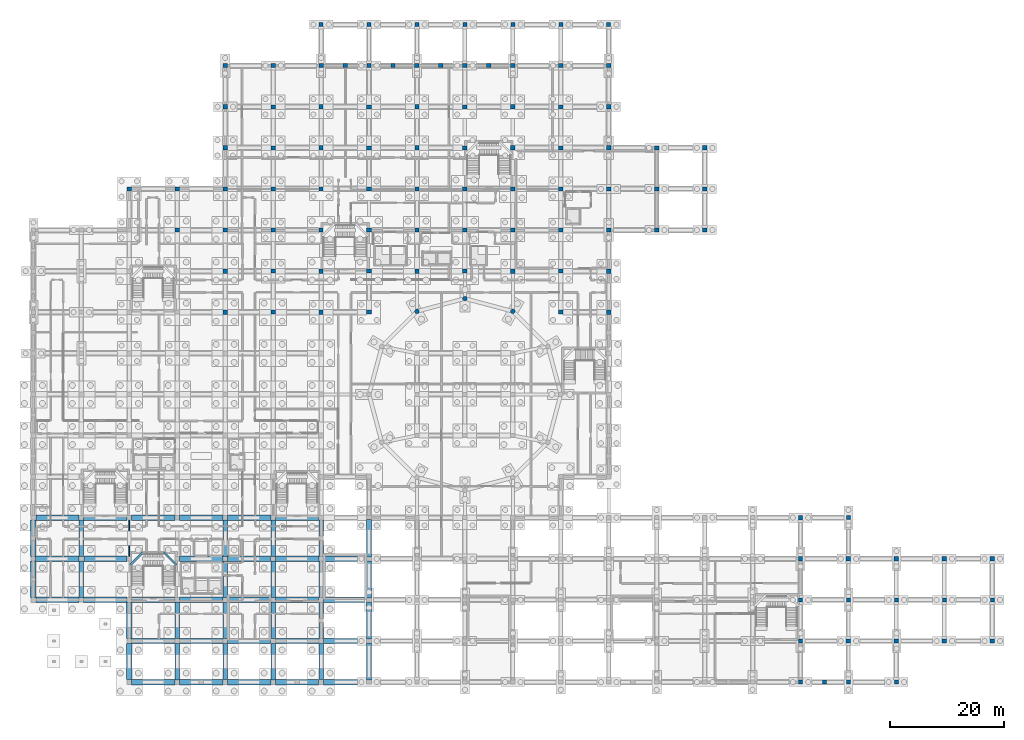
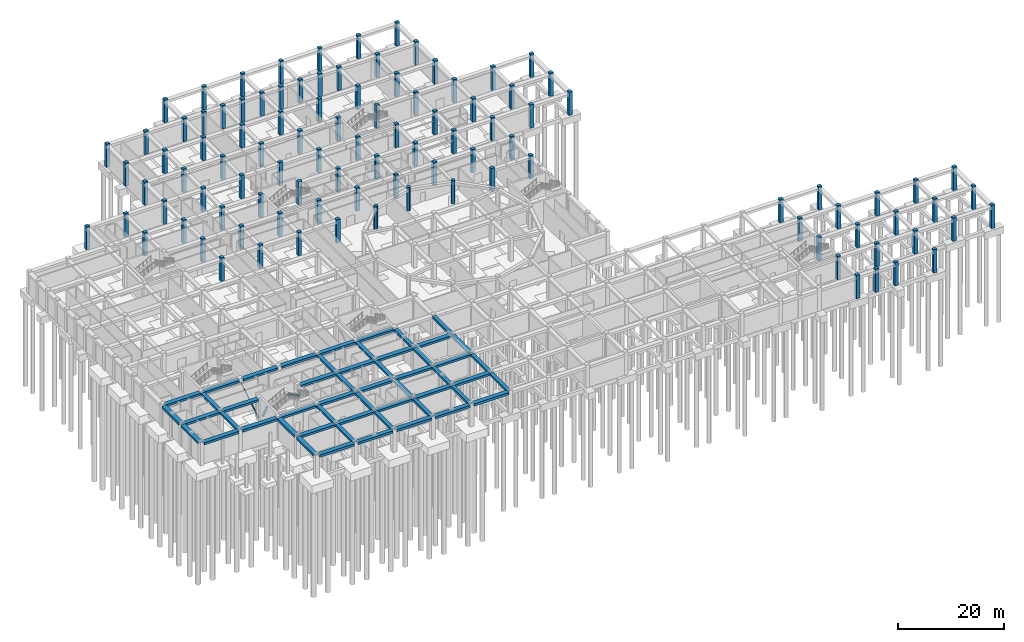
# One storey, part 10 of 32: 104 columns, 55 beams, 1 member.
"""IFC4 building model written with IfcOpenShell, lengths in metres."""

from ifc_helpers import new_model, si_unit, derived_unit, direction, frame, origin, origin_2d, place, context, subcontext, project, spatial, rectangle, circle, hollow_circle, extrude, material, material_profile, profile_set, type_object, element, save


model = new_model("IFC4")

# Units and contexts
model_context = context("Model", 3, precision=1e-05, world=origin(), true_north=direction((0.0, 1.0)))
body_context = subcontext(model_context, "Body", "Model", "MODEL_VIEW")
ifc_project = project(units=[si_unit("LENGTHUNIT", "METRE"), si_unit("AREAUNIT", "SQUARE_METRE"), si_unit("VOLUMEUNIT", "CUBIC_METRE"), si_unit("PLANEANGLEUNIT", "RADIAN"), si_unit("MASSUNIT", "GRAM", prefix="KILO"), derived_unit("THERMALTRANSMITTANCEUNIT", [(si_unit("POWERUNIT", "WATT"), 1), (si_unit("LENGTHUNIT", "METRE"), -2), (si_unit("THERMODYNAMICTEMPERATUREUNIT", "KELVIN"), -1)])], contexts=[model_context])

# Site, building, storey
site_placement = place(None, origin())
site = spatial("IfcSite", under=ifc_project, at=site_placement, CompositionType="ELEMENT")
building_placement = place(site_placement, origin())
building = spatial("IfcBuilding", under=site, at=building_placement, Name="Veybourne Emporium", CompositionType="ELEMENT")
storey_placement = place(building_placement, frame((0.0, 0.0, -5.39990234375)))
storey = spatial("IfcBuildingStorey", under=building, at=storey_placement, Name="B1", CompositionType="ELEMENT", Elevation=-5.39990234375)

# Columns
ifc_material_1 = material(Name="Concrete C40/50", Category="concrete")
ifc_material_profile_1 = material_profile(ifc_material_1, rectangle(XDim=0.75, YDim=0.75, at=origin_2d()), Name="RC 750x750")
ifc_profile_set_1 = profile_set([ifc_material_profile_1], Name="Concrete C40/50")
column_type_1 = type_object("IfcColumnType", Name="Col_C-03", PredefinedType="COLUMN", material=ifc_profile_set_1)
for number, where, z_axis, x_axis, name in (
    (1, (16.800048828125, 86.39990234375, 0.0), (0.0, 0.0, 1.0), (1.0, 0.0, 0.0), "Column C-03 B1 (2,12)"),
    (2, (33.60009765625, 64.800048828125, 0.0), (0.0, 0.0, 1.0), (1.0, 0.0, 0.0), "Column C-03 B1 (4,9)"),
    (3, (33.60009765625, 72.0, 0.0), (0.0, 0.0, 1.0), (1.0, 0.0, 0.0), "Column C-03 B1 (4,10)"),
    (4, (33.60009765625, 79.199951171875, 0.0), (0.0, 0.0, 1.0), (1.0, 0.0, 0.0), "Column C-03 B1 (4,11)"),
    (5, (33.60009765625, 86.39990234375, 0.0), (0.0, 0.0, 1.0), (1.0, 0.0, 0.0), "Column C-03 B1 (4,12)"),
    (6, (33.60009765625, 93.60009765625, 0.0), (0.0, 0.0, 1.0), (1.0, 0.0, 0.0), "Column C-03 B1 (4,13)"),
    (7, (33.60009765625, 100.800048828125, 0.0), (0.0, 0.0, 1.0), (1.0, 0.0, 0.0), "Column C-03 B1 (4,14)"),
    (8, (50.39990234375, 64.800048828125, 0.0), (0.0, 0.0, 1.0), (1.0, 0.0, 0.0), "Column C-03 B1 (6,9)"),
    (9, (50.39990234375, 72.0, 0.0), (0.0, 0.0, 1.0), (1.0, 0.0, 0.0), "Column C-03 B1 (6,10)"),
    (10, (50.39990234375, 79.199951171875, 0.0), (0.0, 0.0, 1.0), (1.0, 0.0, 0.0), "Column C-03 B1 (6,11)"),
    (11, (50.39990234375, 86.39990234375, 0.0), (0.0, 0.0, 1.0), (1.0, 0.0, 0.0), "Column C-03 B1 (6,12)"),
    (12, (50.39990234375, 93.60009765625, 0.0), (0.0, 0.0, 1.0), (1.0, 0.0, 0.0), "Column C-03 B1 (6,13)"),
    (13, (50.39990234375, 100.800048828125, 0.0), (0.0, 0.0, 1.0), (1.0, 0.0, 0.0), "Column C-03 B1 (6,14)"),
    (14, (67.199951171875, 72.0, 0.0), (0.0, 0.0, 1.0), (1.0, 0.0, 0.0), "Column C-03 B1 (8,10)"),
    (15, (67.199951171875, 79.199951171875, 0.0), (0.0, 0.0, 1.0), (1.0, 0.0, 0.0), "Column C-03 B1 (8,11)"),
    (16, (67.199951171875, 86.39990234375, 0.0), (0.0, 0.0, 1.0), (1.0, 0.0, 0.0), "Column C-03 B1 (8,12)"),
    (17, (67.199951171875, 93.60009765625, 0.0), (0.0, 0.0, 1.0), (1.0, 0.0, 0.0), "Column C-03 B1 (8,13)"),
    (18, (67.199951171875, 100.800048828125, 0.0), (0.0, 0.0, 1.0), (1.0, 0.0, 0.0), "Column C-03 B1 (8,14)"),
    (19, (84.0, 72.0, 0.0), (0.0, 0.0, 1.0), (1.0, 0.0, 0.0), "Column C-03 B1 (10,10)"),
    (20, (84.0, 79.199951171875, 0.0), (0.0, 0.0, 1.0), (1.0, 0.0, 0.0), "Column C-03 B1 (10,11)"),
    (21, (84.0, 86.39990234375, 0.0), (0.0, 0.0, 1.0), (1.0, 0.0, 0.0), "Column C-03 B1 (10,12)"),
    (22, (84.0, 93.60009765625, 0.0), (0.0, 0.0, 1.0), (1.0, 0.0, 0.0), "Column C-03 B1 (10,13)"),
    (23, (84.0, 100.800048828125, 0.0), (0.0, 0.0, 1.0), (1.0, 0.0, 0.0), "Column C-03 B1 (10,14)"),
    (24, (100.800048828125, 64.800048828125, 0.0), (0.0, 0.0, 1.0), (1.0, 0.0, 0.0), "Column C-03 B1 (12,9)"),
    (25, (100.800048828125, 72.0, 0.0), (0.0, 0.0, 1.0), (1.0, 0.0, 0.0), "Column C-03 B1 (12,10)"),
    (26, (100.800048828125, 79.199951171875, 0.0), (0.0, 0.0, 1.0), (1.0, 0.0, 0.0), "Column C-03 B1 (12,11)"),
    (27, (100.800048828125, 86.39990234375, 0.0), (0.0, 0.0, 1.0), (1.0, 0.0, 0.0), "Column C-03 B1 (12,12)"),
    (28, (100.800048828125, 93.60009765625, 0.0), (0.0, 0.0, 1.0), (1.0, 0.0, 0.0), "Column C-03 B1 (12,13)"),
    (29, (100.800048828125, 100.800048828125, 0.0), (0.0, 0.0, 1.0), (1.0, 0.0, 0.0), "Column C-03 B1 (12,14)"),
    (30, (117.60009765625, 79.199951171875, 0.0), (0.0, 0.0, 1.0), (1.0, 0.0, 0.0), "Column C-03 B1 (14,11)"),
    (31, (117.60009765625, 86.39990234375, 0.0), (0.0, 0.0, 1.0), (1.0, 0.0, 0.0), "Column C-03 B1 (14,12)"),
    (32, (117.60009765625, 93.60009765625, 0.0), (0.0, 0.0, 1.0), (1.0, 0.0, 0.0), "Column C-03 B1 (14,13)"),
    (33, (134.39990234375, 7.199951171875, 0.0), (0.0, 0.0, 1.0), (1.0, 0.0, 0.0), "Column C-03 B1 (16,1)"),
    (34, (134.39990234375, 14.39990234375, 0.0), (0.0, 0.0, 1.0), (1.0, 0.0, 0.0), "Column C-03 B1 (16,2)"),
    (35, (134.39990234375, 21.60009765625, 0.0), (0.0, 0.0, 1.0), (1.0, 0.0, 0.0), "Column C-03 B1 (16,3)"),
    (36, (134.39990234375, 28.800048828125, 0.0), (0.0, 0.0, 1.0), (1.0, 0.0, 0.0), "Column C-03 B1 (16,4)"),
):
    element("IfcColumn", number, at=place(storey_placement, frame(where, z_axis=z_axis, x_axis=x_axis)), inside=storey, type_object=column_type_1, Name=name, PredefinedType="COLUMN", context=body_context, shape_type="SweptSolid", body=[
        extrude(rectangle(XDim=0.75, YDim=0.75, at=origin_2d()), origin(), (0.0, 0.0, 1.0), 5.39990234375),
    ])
ifc_material_profile_2 = material_profile(ifc_material_1, rectangle(XDim=0.699951171875, YDim=0.699951171875, at=origin_2d()), Name="RC 700x700")
ifc_profile_set_2 = profile_set([ifc_material_profile_2], Name="Concrete C40/50")
column_type_2 = type_object("IfcColumnType", Name="Col_C-04", PredefinedType="COLUMN", material=ifc_profile_set_2)
for number, where, z_axis, x_axis, name in (
    (37, (142.800048828125, 14.39990234375, 0.0), (0.0, 0.0, 1.0), (1.0, 0.0, 0.0), "Column C-04 B1 (17,2)"),
    (38, (142.800048828125, 28.800048828125, 0.0), (0.0, 0.0, 1.0), (1.0, 0.0, 0.0), "Column C-04 B1 (17,4)"),
    (39, (151.199951171875, 14.39990234375, 0.0), (0.0, 0.0, 1.0), (1.0, 0.0, 0.0), "Column C-04 B1 (18,2)"),
    (40, (159.60009765625, 14.39990234375, 0.0), (0.0, 0.0, 1.0), (1.0, 0.0, 0.0), "Column C-04 B1 (19,2)"),
):
    element("IfcColumn", number, at=place(storey_placement, frame(where, z_axis=z_axis, x_axis=x_axis)), inside=storey, type_object=column_type_2, Name=name, PredefinedType="COLUMN", context=body_context, shape_type="SweptSolid", body=[
        extrude(rectangle(XDim=0.699951171875, YDim=0.699951171875, at=origin_2d()), origin(), (0.0, 0.0, 1.0), 5.39990234375),
    ])
ifc_material_profile_3 = material_profile(ifc_material_1, rectangle(XDim=0.800048828125, YDim=0.699951171875, at=origin_2d()), Name="RC 800x700")
ifc_profile_set_3 = profile_set([ifc_material_profile_3], Name="Concrete C40/50")
column_type_3 = type_object("IfcColumnType", Name="Col_C-10", PredefinedType="COLUMN", material=ifc_profile_set_3)
for number, where, z_axis, x_axis, name in (
    (41, (25.199951171875, 79.199951171875, 0.0), (0.0, 0.0, 1.0), (1.0, 0.0, 0.0), "Column C-10 B1 (3,11)"),
    (42, (25.199951171875, 86.39990234375, 0.0), (0.0, 0.0, 1.0), (1.0, 0.0, 0.0), "Column C-10 B1 (3,12)"),
    (43, (42.0, 64.800048828125, 0.0), (0.0, 0.0, 1.0), (1.0, 0.0, 0.0), "Column C-10 B1 (5,9)"),
    (44, (42.0, 72.0, 0.0), (0.0, 0.0, 1.0), (1.0, 0.0, 0.0), "Column C-10 B1 (5,10)"),
    (45, (42.0, 79.199951171875, 0.0), (0.0, 0.0, 1.0), (1.0, 0.0, 0.0), "Column C-10 B1 (5,11)"),
    (46, (42.0, 86.39990234375, 0.0), (0.0, 0.0, 1.0), (1.0, 0.0, 0.0), "Column C-10 B1 (5,12)"),
    (47, (42.0, 93.60009765625, 0.0), (0.0, 0.0, 1.0), (1.0, 0.0, 0.0), "Column C-10 B1 (5,13)"),
    (48, (42.0, 100.800048828125, 0.0), (0.0, 0.0, 1.0), (1.0, 0.0, 0.0), "Column C-10 B1 (5,14)"),
    (49, (58.800048828125, 64.800048828125, 0.0), (0.0, 0.0, 1.0), (1.0, 0.0, 0.0), "Column C-10 B1 (7,9)"),
    (50, (58.800048828125, 72.0, 0.0), (0.0, 0.0, 1.0), (1.0, 0.0, 0.0), "Column C-10 B1 (7,10)"),
    (51, (58.800048828125, 79.199951171875, 0.0), (0.0, 0.0, 1.0), (1.0, 0.0, 0.0), "Column C-10 B1 (7,11)"),
    (52, (58.800048828125, 86.39990234375, 0.0), (0.0, 0.0, 1.0), (1.0, 0.0, 0.0), "Column C-10 B1 (7,12)"),
    (53, (58.800048828125, 93.60009765625, 0.0), (0.0, 0.0, 1.0), (1.0, 0.0, 0.0), "Column C-10 B1 (7,13)"),
    (54, (58.800048828125, 100.800048828125, 0.0), (0.0, 0.0, 1.0), (1.0, 0.0, 0.0), "Column C-10 B1 (7,14)"),
    (55, (75.60009765625, 72.0, 0.0), (0.0, 0.0, 1.0), (1.0, 0.0, 0.0), "Column C-10 B1 (9,10)"),
    (56, (75.60009765625, 79.199951171875, 0.0), (0.0, 0.0, 1.0), (1.0, 0.0, 0.0), "Column C-10 B1 (9,11)"),
    (57, (75.60009765625, 86.39990234375, 0.0), (0.0, 0.0, 1.0), (1.0, 0.0, 0.0), "Column C-10 B1 (9,12)"),
    (58, (75.60009765625, 93.60009765625, 0.0), (0.0, 0.0, 1.0), (1.0, 0.0, 0.0), "Column C-10 B1 (9,13)"),
    (59, (75.60009765625, 100.800048828125, 0.0), (0.0, 0.0, 1.0), (1.0, 0.0, 0.0), "Column C-10 B1 (9,14)"),
    (60, (92.39990234375, 64.800048828125, 0.0), (0.0, 0.0, 1.0), (1.0, 0.0, 0.0), "Column C-10 B1 (11,9)"),
    (61, (92.39990234375, 72.0, 0.0), (0.0, 0.0, 1.0), (1.0, 0.0, 0.0), "Column C-10 B1 (11,10)"),
    (62, (92.39990234375, 79.199951171875, 0.0), (0.0, 0.0, 1.0), (1.0, 0.0, 0.0), "Column C-10 B1 (11,11)"),
    (63, (92.39990234375, 86.39990234375, 0.0), (0.0, 0.0, 1.0), (1.0, 0.0, 0.0), "Column C-10 B1 (11,12)"),
    (64, (92.39990234375, 93.60009765625, 0.0), (0.0, 0.0, 1.0), (1.0, 0.0, 0.0), "Column C-10 B1 (11,13)"),
    (65, (92.39990234375, 100.800048828125, 0.0), (0.0, 0.0, 1.0), (1.0, 0.0, 0.0), "Column C-10 B1 (11,14)"),
    (66, (109.199951171875, 79.199951171875, 0.0), (0.0, 0.0, 1.0), (1.0, 0.0, 0.0), "Column C-10 B1 (13,11)"),
    (67, (109.199951171875, 86.39990234375, 0.0), (0.0, 0.0, 1.0), (1.0, 0.0, 0.0), "Column C-10 B1 (13,12)"),
    (68, (109.199951171875, 93.60009765625, 0.0), (0.0, 0.0, 1.0), (1.0, 0.0, 0.0), "Column C-10 B1 (13,13)"),
):
    element("IfcColumn", number, at=place(storey_placement, frame(where, z_axis=z_axis, x_axis=x_axis)), inside=storey, type_object=column_type_3, Name=name, PredefinedType="COLUMN", context=body_context, shape_type="SweptSolid", body=[
        extrude(rectangle(XDim=0.800048828125, YDim=0.699951171875, at=origin_2d()), origin(), (0.0, 0.0, 1.0), 5.39990234375),
    ])
ifc_material_profile_4 = material_profile(ifc_material_1, rectangle(XDim=0.780029296875, YDim=0.719970703125, at=origin_2d()), Name="RC 780x720")
ifc_profile_set_4 = profile_set([ifc_material_profile_4], Name="Concrete C40/50")
column_type_4 = type_object("IfcColumnType", Name="Col_C-11", PredefinedType="PILASTER", material=ifc_profile_set_4)
for number, where, z_axis, x_axis, name in (
    (69, (33.60009765625, 108.0, 0.0), (0.0, 0.0, 1.0), (1.0, 0.0, 0.0), "Column C-11 B1 (4,15)"),
    (70, (42.0, 108.0, 0.0), (0.0, 0.0, 1.0), (1.0, 0.0, 0.0), "Column C-11 B1 (5,15)"),
    (71, (50.39990234375, 108.0, 0.0), (0.0, 0.0, 1.0), (1.0, 0.0, 0.0), "Column C-11 B1 (6,15)"),
    (72, (58.800048828125, 108.0, 0.0), (0.0, 0.0, 1.0), (1.0, 0.0, 0.0), "Column C-11 B1 (7,15)"),
    (73, (67.199951171875, 108.0, 0.0), (0.0, 0.0, 1.0), (1.0, 0.0, 0.0), "Column C-11 B1 (8,15)"),
    (74, (75.60009765625, 108.0, 0.0), (0.0, 0.0, 1.0), (1.0, 0.0, 0.0), "Column C-11 B1 (9,15)"),
    (75, (84.0, 108.0, 0.0), (0.0, 0.0, 1.0), (1.0, 0.0, 0.0), "Column C-11 B1 (10,15)"),
    (76, (92.39990234375, 108.0, 0.0), (0.0, 0.0, 1.0), (1.0, 0.0, 0.0), "Column C-11 B1 (11,15)"),
    (77, (100.800048828125, 108.0, 0.0), (0.0, 0.0, 1.0), (1.0, 0.0, 0.0), "Column C-11 B1 (12,15)"),
    (78, (142.800048828125, 7.199951171875, 0.0), (0.0, 0.0, 1.0), (1.0, 0.0, 0.0), "Column C-11 B1 (17,1)"),
    (79, (142.800048828125, 21.60009765625, 0.0), (0.0, 0.0, 1.0), (1.0, 0.0, 0.0), "Column C-11 B1 (17,3)"),
    (80, (151.199951171875, 7.199951171875, 0.0), (0.0, 0.0, 1.0), (1.0, 0.0, 0.0), "Column C-11 B1 (18,1)"),
    (81, (151.199951171875, 21.60009765625, 0.0), (0.0, 0.0, 1.0), (1.0, 0.0, 0.0), "Column C-11 B1 (18,3)"),
    (82, (159.60009765625, 7.199951171875, 0.0), (0.0, 0.0, 1.0), (1.0, 0.0, 0.0), "Column C-11 B1 (19,1)"),
    (83, (159.60009765625, 21.60009765625, 0.0), (0.0, 0.0, 1.0), (1.0, 0.0, 0.0), "Column C-11 B1 (19,3)"),
):
    element("IfcColumn", number, at=place(storey_placement, frame(where, z_axis=z_axis, x_axis=x_axis)), inside=storey, type_object=column_type_4, Name=name, PredefinedType="PILASTER", context=body_context, shape_type="SweptSolid", body=[
        extrude(rectangle(XDim=0.780029296875, YDim=0.719970703125, at=origin_2d()), origin(), (0.0, 0.0, 1.0), 5.39990234375),
    ])
ifc_material_profile_5 = material_profile(ifc_material_1, circle(Radius=0.39990234375, at=origin_2d()), Name="RC D800")
ifc_profile_set_5 = profile_set([ifc_material_profile_5], Name="Concrete C40/50")
column_type_5 = type_object("IfcColumnType", Name="Col_CD-01", PredefinedType="COLUMN", material=ifc_profile_set_5)
for number, where, z_axis, x_axis, name in (
    (84, (84.0, 64.94921875, 0.0), (0.0, 0.0, 1.0), (1.0, 0.0, 0.0), "Atrium drum column CD-01 B1-03"),
    (85, (75.60009765625, 67.199951171875, 0.0), (0.0, 0.0, 1.0), (1.0, 0.0, 0.0), "Atrium drum column CD-01 B1-04"),
    (86, (67.199951171875, 64.94921875, 0.0), (0.0, 0.0, 1.0), (1.0, 0.0, 0.0), "Atrium drum column CD-01 B1-05"),
):
    element("IfcColumn", number, at=place(storey_placement, frame(where, z_axis=z_axis, x_axis=x_axis)), inside=storey, type_object=column_type_5, Name=name, PredefinedType="COLUMN", context=body_context, shape_type="SweptSolid", body=[
        extrude(circle(Radius=0.39990234375, at=origin_2d()), origin(), (0.0, 0.0, 1.0), 5.39990234375),
    ])
ifc_material_profile_6 = material_profile(ifc_material_1, rectangle(XDim=0.75, YDim=0.75, at=origin_2d()), Name="RC 750x750")
ifc_profile_set_6 = profile_set([ifc_material_profile_6], Name="Concrete C40/50")
column_type_6 = type_object("IfcColumnType", Name="Col_CE-03", PredefinedType="COLUMN", material=ifc_profile_set_6)
column_placement = place(storey_placement, frame((134.39990234375, 0.0, 0.0), z_axis=(0.0, 0.0, 1.0), x_axis=(1.0, 0.0, 0.0)))
element("IfcColumn", 87, at=column_placement, inside=storey, type_object=column_type_6, Name="Column CE-03 B1 (16,0)", PredefinedType="COLUMN", context=body_context, shape_type="SweptSolid", body=[
    extrude(rectangle(XDim=0.75, YDim=0.75, at=origin_2d()), origin(), (0.0, 0.0, 1.0), 5.39990234375),
])
ifc_material_profile_7 = material_profile(ifc_material_1, rectangle(XDim=0.699951171875, YDim=0.699951171875, at=origin_2d()), Name="RC 700x700")
ifc_profile_set_7 = profile_set([ifc_material_profile_7], Name="Concrete C40/50")
column_type_7 = type_object("IfcColumnType", Name="Col_CE-04", PredefinedType="COLUMN", material=ifc_profile_set_7)
for number, where, z_axis, x_axis, name in (
    (88, (50.39990234375, 115.199951171875, 0.0), (0.0, 0.0, 1.0), (1.0, 0.0, 0.0), "Column CE-04 B1 (6,16)"),
    (89, (58.800048828125, 115.199951171875, 0.0), (0.0, 0.0, 1.0), (1.0, 0.0, 0.0), "Column CE-04 B1 (7,16)"),
    (90, (67.199951171875, 115.199951171875, 0.0), (0.0, 0.0, 1.0), (1.0, 0.0, 0.0), "Column CE-04 B1 (8,16)"),
    (91, (75.60009765625, 115.199951171875, 0.0), (0.0, 0.0, 1.0), (1.0, 0.0, 0.0), "Column CE-04 B1 (9,16)"),
    (92, (84.0, 115.199951171875, 0.0), (0.0, 0.0, 1.0), (1.0, 0.0, 0.0), "Column CE-04 B1 (10,16)"),
    (93, (92.39990234375, 115.199951171875, 0.0), (0.0, 0.0, 1.0), (1.0, 0.0, 0.0), "Column CE-04 B1 (11,16)"),
    (94, (100.800048828125, 115.199951171875, 0.0), (0.0, 0.0, 1.0), (1.0, 0.0, 0.0), "Column CE-04 B1 (12,16)"),
    (95, (142.800048828125, 0.0, 0.0), (0.0, 0.0, 1.0), (1.0, 0.0, 0.0), "Column CE-04 B1 (17,0)"),
    (96, (151.199951171875, 0.0, 0.0), (0.0, 0.0, 1.0), (1.0, 0.0, 0.0), "Column CE-04 B1 (18,0)"),
    (97, (168.0, 14.39990234375, 0.0), (0.0, 0.0, 1.0), (1.0, 0.0, 0.0), "Column CE-04 B1 (20,2)"),
):
    element("IfcColumn", number, at=place(storey_placement, frame(where, z_axis=z_axis, x_axis=x_axis)), inside=storey, type_object=column_type_7, Name=name, PredefinedType="COLUMN", context=body_context, shape_type="SweptSolid", body=[
        extrude(rectangle(XDim=0.699951171875, YDim=0.699951171875, at=origin_2d()), origin(), (0.0, 0.0, 1.0), 5.39990234375),
    ])
ifc_material_profile_8 = material_profile(ifc_material_1, rectangle(XDim=0.780029296875, YDim=0.719970703125, at=origin_2d()), Name="RC 780x720")
ifc_profile_set_8 = profile_set([ifc_material_profile_8], Name="Concrete C40/50")
column_type_8 = type_object("IfcColumnType", Name="Col_CE-11", PredefinedType="PILASTER", material=ifc_profile_set_8)
for number, where, z_axis, x_axis, name in (
    (98, (168.0, 7.199951171875, 0.0), (0.0, 0.0, 1.0), (1.0, 0.0, 0.0), "Column CE-11 B1 (20,1)"),
    (99, (168.0, 21.60009765625, 0.0), (0.0, 0.0, 1.0), (1.0, 0.0, 0.0), "Column CE-11 B1 (20,3)"),
    (100, (54.60009765625, 108.0, 0.0), (0.0, 0.0, 1.0), (1.0, 0.0, 0.0), "Fluted stone pilaster CE-11 B1-09"),
    (101, (63.0, 108.0, 0.0), (0.0, 0.0, 1.0), (1.0, 0.0, 0.0), "Fluted stone pilaster CE-11 B1-10"),
    (102, (71.39990234375, 108.0, 0.0), (0.0, 0.0, 1.0), (1.0, 0.0, 0.0), "Fluted stone pilaster CE-11 B1-11"),
    (103, (79.800048828125, 108.0, 0.0), (0.0, 0.0, 1.0), (1.0, 0.0, 0.0), "Fluted stone pilaster CE-11 B1-12"),
    (104, (138.60009765625, 0.0, 0.0), (0.0, 0.0, 1.0), (1.0, 0.0, 0.0), "Fluted stone pilaster CE-11 B1-17"),
):
    element("IfcColumn", number, at=place(storey_placement, frame(where, z_axis=z_axis, x_axis=x_axis)), inside=storey, type_object=column_type_8, Name=name, PredefinedType="PILASTER", context=body_context, shape_type="SweptSolid", body=[
        extrude(rectangle(XDim=0.780029296875, YDim=0.719970703125, at=origin_2d()), origin(), (0.0, 0.0, 1.0), 5.39990234375),
    ])

# Beams
ifc_material_2 = material(Name="Concrete C32/40", Category="concrete")
ifc_material_profile_9 = material_profile(ifc_material_2, rectangle(XDim=0.35009765625, YDim=0.35009765625, at=origin_2d()), Name="RC 350x350")
ifc_profile_set_9 = profile_set([ifc_material_profile_9], Name="Concrete C32/40")
beam_type_1 = type_object("IfcBeamType", Name="LandingBeam_LB-01", PredefinedType="BEAM", material=ifc_profile_set_9)
for number, where, z_axis, x_axis, name in (
    (105, (16.949951171875, 20.52001953125, 1.4248046875), (0.707106781187, 0.707106781187, 0.0), (-0.707106781187, 0.707106781187, 0.0), "B1 ST-01 landing 1 support beam"),
    (106, (22.8701171875, 22.699951171875, 3.224853515625), (0.707106781187, -0.707106781187, 0.0), (0.707106781187, 0.707106781187, 0.0), "B1 ST-01 landing 2 support beam"),
):
    element("IfcBeam", number, at=place(storey_placement, frame(where, z_axis=z_axis, x_axis=x_axis)), inside=storey, type_object=beam_type_1, Name=name, PredefinedType="BEAM", context=body_context, shape_type="SweptSolid", body=[
        extrude(rectangle(XDim=0.35009765625, YDim=0.35009765625, at=origin_2d()), origin(), (0.0, 0.0, 1.0), 3.0830078125),
    ])
ifc_material_profile_10 = material_profile(ifc_material_2, rectangle(XDim=0.949951171875, YDim=0.5, at=origin_2d()), Name="RC 950x500")
ifc_profile_set_10 = profile_set([ifc_material_profile_10], Name="Concrete C32/40")
beam_type_2 = type_object("IfcBeamType", Name="RCBeam_BB-01", PredefinedType="BEAM", material=ifc_profile_set_10)
beam_1_placement = place(storey_placement, frame((0.39990234375, 21.60009765625, 4.7998046875), z_axis=(1.0, 0.0, 0.0), x_axis=(0.0, 1.0, 0.0)))
element("IfcBeam", 107, at=beam_1_placement, inside=storey, type_object=beam_type_2, Name="B1 X-grid beam BB-01 (0,3)", PredefinedType="BEAM", context=body_context, shape_type="SweptSolid", body=[
    extrude(rectangle(XDim=0.949951171875, YDim=0.5, at=origin_2d()), origin(), (0.0, 0.0, 1.0), 7.5751953125),
])
for number, where, z_axis, x_axis, name in (
    (108, (0.425048828125, 28.800048828125, 4.7998046875), (1.0, 0.0, 0.0), (0.0, 1.0, 0.0), "B1 X-grid beam BB-01 (0,4)"),
    (109, (8.824951171875, 21.60009765625, 4.7998046875), (1.0, 0.0, 0.0), (0.0, 1.0, 0.0), "B1 X-grid beam BB-01 (1,3)"),
    (110, (8.800048828125, 28.800048828125, 4.7998046875), (1.0, 0.0, 0.0), (0.0, 1.0, 0.0), "B1 X-grid beam BB-01 (1,4)"),
    (111, (17.199951171875, 7.199951171875, 4.7998046875), (1.0, 0.0, 0.0), (0.0, 1.0, 0.0), "B1 X-grid beam BB-01 (2,1)"),
    (112, (17.22509765625, 14.39990234375, 4.7998046875), (1.0, 0.0, 0.0), (0.0, 1.0, 0.0), "B1 X-grid beam BB-01 (2,2)"),
    (113, (17.22509765625, 28.800048828125, 4.7998046875), (1.0, 0.0, 0.0), (0.0, 1.0, 0.0), "B1 X-grid beam BB-01 (2,4)"),
    (114, (25.625, 7.199951171875, 4.7998046875), (1.0, 0.0, 0.0), (0.0, 1.0, 0.0), "B1 X-grid beam BB-01 (3,1)"),
    (115, (25.60009765625, 14.39990234375, 4.7998046875), (1.0, 0.0, 0.0), (0.0, 1.0, 0.0), "B1 X-grid beam BB-01 (3,2)"),
    (116, (25.625, 21.60009765625, 4.7998046875), (1.0, 0.0, 0.0), (0.0, 1.0, 0.0), "B1 X-grid beam BB-01 (3,3)"),
    (117, (25.60009765625, 28.800048828125, 4.7998046875), (1.0, 0.0, 0.0), (0.0, 1.0, 0.0), "B1 X-grid beam BB-01 (3,4)"),
    (118, (34.0, 7.199951171875, 4.7998046875), (1.0, 0.0, 0.0), (0.0, 1.0, 0.0), "B1 X-grid beam BB-01 (4,1)"),
):
    element("IfcBeam", number, at=place(storey_placement, frame(where, z_axis=z_axis, x_axis=x_axis)), inside=storey, type_object=beam_type_2, Name=name, PredefinedType="BEAM", context=body_context, shape_type="SweptSolid", body=[
        extrude(rectangle(XDim=0.949951171875, YDim=0.5, at=origin_2d()), origin(), (0.0, 0.0, 1.0), 7.574951171875),
    ])
beam_2_placement = place(storey_placement, frame((34.02490234375, 14.39990234375, 4.7998046875), z_axis=(1.0, 0.0, 0.0), x_axis=(0.0, 1.0, 0.0)))
element("IfcBeam", 119, at=beam_2_placement, inside=storey, type_object=beam_type_2, Name="B1 X-grid beam BB-01 (4,2)", PredefinedType="BEAM", context=body_context, shape_type="SweptSolid", body=[
    extrude(rectangle(XDim=0.949951171875, YDim=0.5, at=origin_2d()), origin(), (0.0, 0.0, 1.0), 7.5751953125),
])
beam_3_placement = place(storey_placement, frame((34.0, 21.60009765625, 4.7998046875), z_axis=(1.0, 0.0, 0.0), x_axis=(0.0, 1.0, 0.0)))
element("IfcBeam", 120, at=beam_3_placement, inside=storey, type_object=beam_type_2, Name="B1 X-grid beam BB-01 (4,3)", PredefinedType="BEAM", context=body_context, shape_type="SweptSolid", body=[
    extrude(rectangle(XDim=0.949951171875, YDim=0.5, at=origin_2d()), origin(), (0.0, 0.0, 1.0), 7.574951171875),
])
beam_4_placement = place(storey_placement, frame((34.02490234375, 28.800048828125, 4.7998046875), z_axis=(1.0, 0.0, 0.0), x_axis=(0.0, 1.0, 0.0)))
element("IfcBeam", 121, at=beam_4_placement, inside=storey, type_object=beam_type_2, Name="B1 X-grid beam BB-01 (4,4)", PredefinedType="BEAM", context=body_context, shape_type="SweptSolid", body=[
    extrude(rectangle(XDim=0.949951171875, YDim=0.5, at=origin_2d()), origin(), (0.0, 0.0, 1.0), 7.5751953125),
])
beam_5_placement = place(storey_placement, frame((42.425048828125, 7.199951171875, 4.7998046875), z_axis=(1.0, 0.0, 0.0), x_axis=(0.0, 1.0, 0.0)))
element("IfcBeam", 122, at=beam_5_placement, inside=storey, type_object=beam_type_2, Name="B1 X-grid beam BB-01 (5,1)", PredefinedType="BEAM", context=body_context, shape_type="SweptSolid", body=[
    extrude(rectangle(XDim=0.949951171875, YDim=0.5, at=origin_2d()), origin(), (0.0, 0.0, 1.0), 7.574951171875),
])
beam_6_placement = place(storey_placement, frame((42.39990234375, 14.39990234375, 4.7998046875), z_axis=(1.0, 0.0, 0.0), x_axis=(0.0, 1.0, 0.0)))
element("IfcBeam", 123, at=beam_6_placement, inside=storey, type_object=beam_type_2, Name="B1 X-grid beam BB-01 (5,2)", PredefinedType="BEAM", context=body_context, shape_type="SweptSolid", body=[
    extrude(rectangle(XDim=0.949951171875, YDim=0.5, at=origin_2d()), origin(), (0.0, 0.0, 1.0), 7.5751953125),
])
beam_7_placement = place(storey_placement, frame((42.425048828125, 21.60009765625, 4.7998046875), z_axis=(1.0, 0.0, 0.0), x_axis=(0.0, 1.0, 0.0)))
element("IfcBeam", 124, at=beam_7_placement, inside=storey, type_object=beam_type_2, Name="B1 X-grid beam BB-01 (5,3)", PredefinedType="BEAM", context=body_context, shape_type="SweptSolid", body=[
    extrude(rectangle(XDim=0.949951171875, YDim=0.5, at=origin_2d()), origin(), (0.0, 0.0, 1.0), 7.574951171875),
])
beam_8_placement = place(storey_placement, frame((42.39990234375, 28.800048828125, 4.7998046875), z_axis=(1.0, 0.0, 0.0), x_axis=(0.0, 1.0, 0.0)))
element("IfcBeam", 125, at=beam_8_placement, inside=storey, type_object=beam_type_2, Name="B1 X-grid beam BB-01 (5,4)", PredefinedType="BEAM", context=body_context, shape_type="SweptSolid", body=[
    extrude(rectangle(XDim=0.949951171875, YDim=0.5, at=origin_2d()), origin(), (0.0, 0.0, 1.0), 7.5751953125),
])
beam_9_placement = place(storey_placement, frame((50.800048828125, 7.199951171875, 4.7998046875), z_axis=(1.0, 0.0, 0.0), x_axis=(0.0, 1.0, 0.0)))
element("IfcBeam", 126, at=beam_9_placement, inside=storey, type_object=beam_type_2, Name="B1 X-grid beam BB-01 (6,1)", PredefinedType="BEAM", context=body_context, shape_type="SweptSolid", body=[
    extrude(rectangle(XDim=0.949951171875, YDim=0.5, at=origin_2d()), origin(), (0.0, 0.0, 1.0), 7.599853515625),
])
beam_10_placement = place(storey_placement, frame((50.824951171875, 14.39990234375, 4.7998046875), z_axis=(1.0, 0.0, 0.0), x_axis=(0.0, 1.0, 0.0)))
element("IfcBeam", 127, at=beam_10_placement, inside=storey, type_object=beam_type_2, Name="B1 X-grid beam BB-01 (6,2)", PredefinedType="BEAM", context=body_context, shape_type="SweptSolid", body=[
    extrude(rectangle(XDim=0.949951171875, YDim=0.5, at=origin_2d()), origin(), (0.0, 0.0, 1.0), 7.574951171875),
])
beam_11_placement = place(storey_placement, frame((50.800048828125, 21.60009765625, 4.7998046875), z_axis=(1.0, 0.0, 0.0), x_axis=(0.0, 1.0, 0.0)))
element("IfcBeam", 128, at=beam_11_placement, inside=storey, type_object=beam_type_2, Name="B1 X-grid beam BB-01 (6,3)", PredefinedType="BEAM", context=body_context, shape_type="SweptSolid", body=[
    extrude(rectangle(XDim=0.949951171875, YDim=0.5, at=origin_2d()), origin(), (0.0, 0.0, 1.0), 7.599853515625),
])
ifc_material_profile_11 = material_profile(ifc_material_2, rectangle(XDim=0.800048828125, YDim=0.5, at=origin_2d()), Name="RC 800x500")
ifc_profile_set_11 = profile_set([ifc_material_profile_11], Name="Concrete C32/40")
beam_type_3 = type_object("IfcBeamType", Name="RCBeam_BB-02", PredefinedType="BEAM", material=ifc_profile_set_11)
for number, where, z_axis, x_axis, name in (
    (129, (8.39990234375, 14.800048828125, 4.7998046875), (0.0, 1.0, 0.0), (-1.0, 0.0, 0.0), "B1 Y-grid beam BB-02 (1,2)"),
    (130, (8.39990234375, 22.02490234375, 4.7998046875), (0.0, 1.0, 0.0), (-1.0, 0.0, 0.0), "B1 Y-grid beam BB-02 (1,3)"),
    (131, (25.199951171875, 0.39990234375, 4.7998046875), (0.0, 1.0, 0.0), (-1.0, 0.0, 0.0), "B1 Y-grid beam BB-02 (3,0)"),
    (132, (25.199951171875, 7.625, 4.7998046875), (0.0, 1.0, 0.0), (-1.0, 0.0, 0.0), "B1 Y-grid beam BB-02 (3,1)"),
    (133, (33.60009765625, 0.425048828125, 4.7998046875), (0.0, 1.0, 0.0), (-1.0, 0.0, 0.0), "B1 Y-grid beam BB-02 (4,0)"),
    (134, (33.60009765625, 7.60009765625, 4.7998046875), (0.0, 1.0, 0.0), (-1.0, 0.0, 0.0), "B1 Y-grid beam BB-02 (4,1)"),
    (135, (33.60009765625, 14.824951171875, 4.7998046875), (0.0, 1.0, 0.0), (-1.0, 0.0, 0.0), "B1 Y-grid beam BB-02 (4,2)"),
    (136, (33.60009765625, 22.0, 4.7998046875), (0.0, 1.0, 0.0), (-1.0, 0.0, 0.0), "B1 Y-grid beam BB-02 (4,3)"),
    (137, (42.0, 0.39990234375, 4.7998046875), (0.0, 1.0, 0.0), (-1.0, 0.0, 0.0), "B1 Y-grid beam BB-02 (5,0)"),
    (138, (42.0, 7.625, 4.7998046875), (0.0, 1.0, 0.0), (-1.0, 0.0, 0.0), "B1 Y-grid beam BB-02 (5,1)"),
    (139, (42.0, 14.800048828125, 4.7998046875), (0.0, 1.0, 0.0), (-1.0, 0.0, 0.0), "B1 Y-grid beam BB-02 (5,2)"),
    (140, (42.0, 22.02490234375, 4.7998046875), (0.0, 1.0, 0.0), (-1.0, 0.0, 0.0), "B1 Y-grid beam BB-02 (5,3)"),
    (141, (50.39990234375, 0.425048828125, 4.7998046875), (0.0, 1.0, 0.0), (-1.0, 0.0, 0.0), "B1 Y-grid beam BB-02 (6,0)"),
    (142, (50.39990234375, 7.60009765625, 4.7998046875), (0.0, 1.0, 0.0), (-1.0, 0.0, 0.0), "B1 Y-grid beam BB-02 (6,1)"),
    (143, (50.39990234375, 14.824951171875, 4.7998046875), (0.0, 1.0, 0.0), (-1.0, 0.0, 0.0), "B1 Y-grid beam BB-02 (6,2)"),
    (144, (50.39990234375, 22.0, 4.7998046875), (0.0, 1.0, 0.0), (-1.0, 0.0, 0.0), "B1 Y-grid beam BB-02 (6,3)"),
):
    element("IfcBeam", number, at=place(storey_placement, frame(where, z_axis=z_axis, x_axis=x_axis)), inside=storey, type_object=beam_type_3, Name=name, PredefinedType="BEAM", context=body_context, shape_type="SweptSolid", body=[
        extrude(rectangle(XDim=0.800048828125, YDim=0.5, at=origin_2d()), origin(), (0.0, 0.0, 1.0), 6.375),
    ])
for number, where, z_axis, x_axis, name in (
    (145, (58.800048828125, 0.35009765625, 4.7998046875), (0.0, 1.0, 0.0), (-1.0, 0.0, 0.0), "B1 Y-grid beam BB-02 (7,0)"),
    (146, (58.800048828125, 7.550048828125, 4.7998046875), (0.0, 1.0, 0.0), (-1.0, 0.0, 0.0), "B1 Y-grid beam BB-02 (7,1)"),
    (147, (58.800048828125, 14.75, 4.7998046875), (0.0, 1.0, 0.0), (-1.0, 0.0, 0.0), "B1 Y-grid beam BB-02 (7,2)"),
    (148, (58.800048828125, 21.949951171875, 4.7998046875), (0.0, 1.0, 0.0), (-1.0, 0.0, 0.0), "B1 Y-grid beam BB-02 (7,3)"),
):
    element("IfcBeam", number, at=place(storey_placement, frame(where, z_axis=z_axis, x_axis=x_axis)), inside=storey, type_object=beam_type_3, Name=name, PredefinedType="BEAM", context=body_context, shape_type="SweptSolid", body=[
        extrude(rectangle(XDim=0.800048828125, YDim=0.5, at=origin_2d()), origin(), (0.0, 0.0, 1.0), 6.5),
    ])
ifc_material_profile_12 = material_profile(ifc_material_2, rectangle(XDim=0.949951171875, YDim=0.550048828125, at=origin_2d()), Name="RC 950x550")
ifc_profile_set_12 = profile_set([ifc_material_profile_12], Name="Concrete C32/40")
beam_type_4 = type_object("IfcBeamType", Name="RCBeam_EB-01", PredefinedType="SPANDREL", material=ifc_profile_set_12)
for number, where, z_axis, x_axis, name in (
    (149, (0.425048828125, 14.39990234375, 4.77490234375), (1.0, 0.0, 0.0), (0.0, 1.0, 0.0), "B1 X-grid beam EB-01 (0,2)"),
    (150, (8.800048828125, 14.39990234375, 4.77490234375), (1.0, 0.0, 0.0), (0.0, 1.0, 0.0), "B1 X-grid beam EB-01 (1,2)"),
    (151, (17.22509765625, 0.0, 4.77490234375), (1.0, 0.0, 0.0), (0.0, 1.0, 0.0), "B1 X-grid beam EB-01 (2,0)"),
    (152, (25.60009765625, 0.0, 4.77490234375), (1.0, 0.0, 0.0), (0.0, 1.0, 0.0), "B1 X-grid beam EB-01 (3,0)"),
):
    element("IfcBeam", number, at=place(storey_placement, frame(where, z_axis=z_axis, x_axis=x_axis)), inside=storey, type_object=beam_type_4, Name=name, PredefinedType="SPANDREL", context=body_context, shape_type="SweptSolid", body=[
        extrude(rectangle(XDim=0.949951171875, YDim=0.550048828125, at=origin_2d()), origin(), (0.0, 0.0, 1.0), 7.574951171875),
    ])
for number, where, z_axis, x_axis, name in (
    (153, (34.02490234375, 0.0, 4.77490234375), (1.0, 0.0, 0.0), (0.0, 1.0, 0.0), "B1 X-grid beam EB-01 (4,0)"),
    (154, (42.39990234375, 0.0, 4.77490234375), (1.0, 0.0, 0.0), (0.0, 1.0, 0.0), "B1 X-grid beam EB-01 (5,0)"),
):
    element("IfcBeam", number, at=place(storey_placement, frame(where, z_axis=z_axis, x_axis=x_axis)), inside=storey, type_object=beam_type_4, Name=name, PredefinedType="SPANDREL", context=body_context, shape_type="SweptSolid", body=[
        extrude(rectangle(XDim=0.949951171875, YDim=0.550048828125, at=origin_2d()), origin(), (0.0, 0.0, 1.0), 7.5751953125),
    ])
beam_12_placement = place(storey_placement, frame((50.824951171875, 0.0, 4.77490234375), z_axis=(1.0, 0.0, 0.0), x_axis=(0.0, 1.0, 0.0)))
element("IfcBeam", 155, at=beam_12_placement, inside=storey, type_object=beam_type_4, Name="B1 X-grid beam EB-01 (6,0)", PredefinedType="SPANDREL", context=body_context, shape_type="SweptSolid", body=[
    extrude(rectangle(XDim=0.949951171875, YDim=0.550048828125, at=origin_2d()), origin(), (0.0, 0.0, 1.0), 7.574951171875),
])
for number, where, z_axis, x_axis, name in (
    (156, (0.0, 14.824951171875, 4.77490234375), (0.0, 1.0, 0.0), (-1.0, 0.0, 0.0), "B1 Y-grid beam EB-01 (0,2)"),
    (157, (0.0, 22.0, 4.77490234375), (0.0, 1.0, 0.0), (-1.0, 0.0, 0.0), "B1 Y-grid beam EB-01 (0,3)"),
    (158, (16.800048828125, 0.425048828125, 4.77490234375), (0.0, 1.0, 0.0), (-1.0, 0.0, 0.0), "B1 Y-grid beam EB-01 (2,0)"),
    (159, (16.800048828125, 7.60009765625, 4.77490234375), (0.0, 1.0, 0.0), (-1.0, 0.0, 0.0), "B1 Y-grid beam EB-01 (2,1)"),
):
    element("IfcBeam", number, at=place(storey_placement, frame(where, z_axis=z_axis, x_axis=x_axis)), inside=storey, type_object=beam_type_4, Name=name, PredefinedType="SPANDREL", context=body_context, shape_type="SweptSolid", body=[
        extrude(rectangle(XDim=0.949951171875, YDim=0.550048828125, at=origin_2d()), origin(), (0.0, 0.0, 1.0), 6.375),
    ])

# Member
ifc_material_3 = material(Name="Steel S355", Category="steel")
ifc_material_profile_13 = material_profile(ifc_material_3, hollow_circle(Radius=0.084228515625, WallThickness=0.008056640625, at=origin_2d()), Name="CHS 168.3x8.0")
ifc_profile_set_13 = profile_set([ifc_material_profile_13], Name="Steel S355")
member_type = type_object("IfcMemberType", Name="SteelMem_DB-01", PredefinedType="BRACE", material=ifc_profile_set_13)
member_placement = place(storey_placement, frame((16.800048828125, 21.820068359375, 0.25), z_axis=(0.0, 0.849410206889, 0.527733171624), x_axis=(-1.0, 0.0, 0.0)))
element("IfcMember", 160, at=member_placement, inside=storey, type_object=member_type, Name="Internal lateral frame brace DB-01.01 (B1)", PredefinedType="BRACE", context=body_context, shape_type="SweptSolid", body=[
    extrude(hollow_circle(Radius=0.084228515625, WallThickness=0.008056640625, at=origin_2d()), origin(), (0.0, 0.0, 1.0), 7.95849609375),
])

save(model, "model.ifc")
